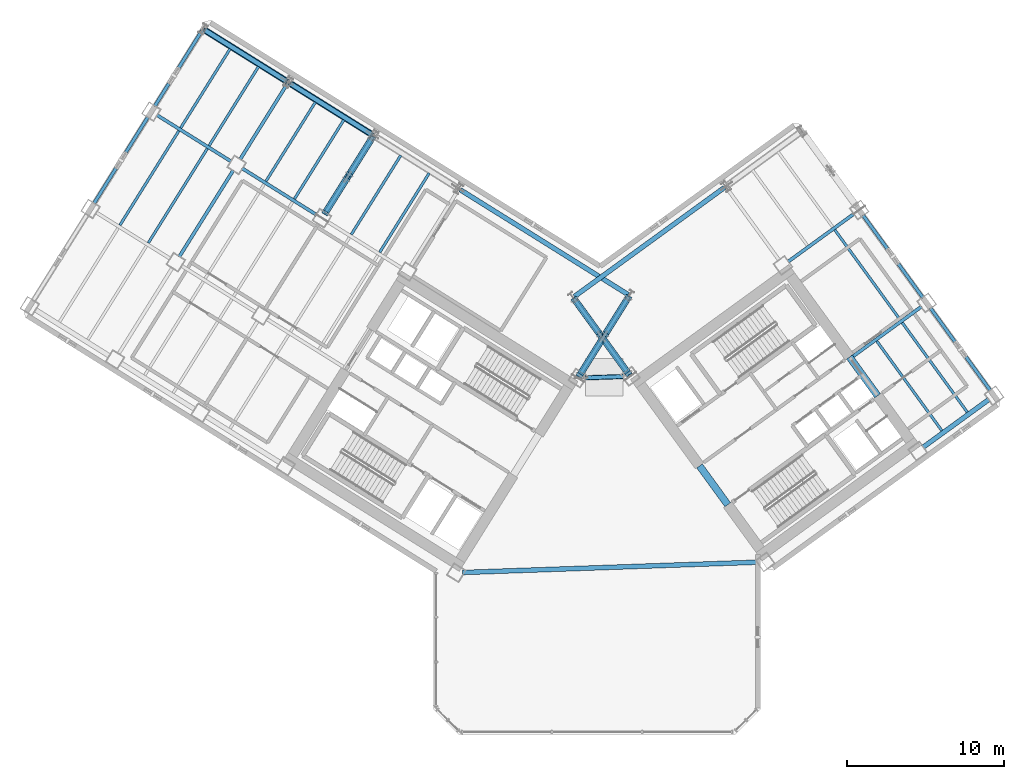
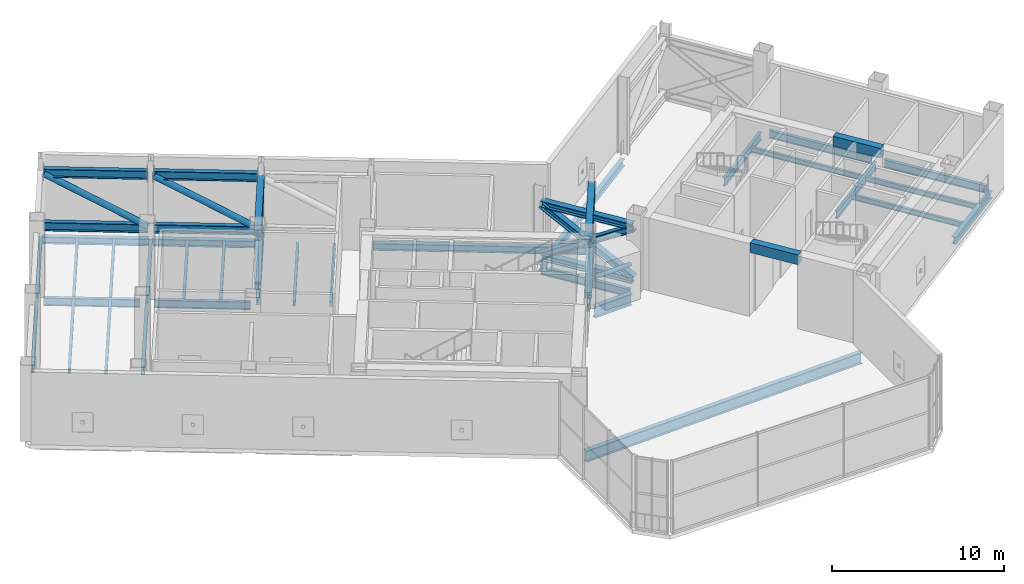
# One storey, part 7 of 21: 33 beams, 22 members.
"""IFC4 building model written with IfcOpenShell, lengths in metres."""

from ifc_helpers import new_model, si_unit, direction, frame, origin, origin_2d, place, context, subcontext, project, spatial, rectangle, hollow_circle, i_section, extrude, source, transform, mapped, material, material_profile, profile_set, type_object, element, save


model = new_model("IFC4")

# Units and contexts
model_context = context("Model", 3, precision=1e-05, world=origin(), true_north=direction((0.0, 1.0)))
body_context = subcontext(model_context, "Body", "Model", "MODEL_VIEW")
ifc_project = project(units=[si_unit("LENGTHUNIT", "METRE"), si_unit("AREAUNIT", "SQUARE_METRE"), si_unit("VOLUMEUNIT", "CUBIC_METRE"), si_unit("PLANEANGLEUNIT", "RADIAN"), si_unit("MASSUNIT", "GRAM", prefix="KILO")], contexts=[model_context])

# Site, building, storey
site_placement = place(None, origin())
site = spatial("IfcSite", under=ifc_project, at=site_placement, CompositionType="ELEMENT")
building_placement = place(site_placement, origin())
building = spatial("IfcBuilding", under=site, at=building_placement, Name="Tlacorven Tower", CompositionType="ELEMENT")
storey_placement = place(building_placement, frame((0.0, 0.0, 84.60009765625)))
storey = spatial("IfcBuildingStorey", under=building, at=storey_placement, Name="L21", CompositionType="ELEMENT", Elevation=84.60009765625)

# Beams
ifc_material_1 = material(Name="Concrete C60/75", Category="concrete")
ifc_material_profile_1 = material_profile(ifc_material_1, rectangle(XDim=0.449951171875, YDim=0.699951171875, at=origin_2d()), Name="RC 450X700")
ifc_profile_set_1 = profile_set([ifc_material_profile_1], Name="Concrete C60/75")
beam_type_1 = type_object("IfcBeamType", Name="BM-LNT-700", PredefinedType="LINTEL", material=ifc_profile_set_1)
shared_shape_1 = source(origin(), body_context, "Body", "SweptSolid", [
    extrude(rectangle(XDim=0.449951171875, YDim=0.699951171875, at=origin_2d()), origin(), (0.0, 0.0, 1.0), 3.050048828125),
])
for number, where, z_axis, x_axis, name in (
    (1, (50.318359375, 16.416015625, 4.7998046875), (-0.587776590479, 0.80902328748, 0.0), (-0.80902328748, -0.587776590479, 0.0), "L21 E core coupling lintel beam E1"),
    (2, (59.856689453125, 23.345947265625, 4.7998046875), (-0.587776590479, 0.80902328748, 0.0), (-0.80902328748, -0.587776590479, 0.0), "L21 E core coupling lintel beam E2"),
):
    element("IfcBeam", number, at=place(storey_placement, frame(where, z_axis=z_axis, x_axis=x_axis)), inside=storey, type_object=beam_type_1, Name=name, PredefinedType="LINTEL", context=body_context, shape_type="MappedRepresentation", body=[
        mapped(shared_shape_1, transform((0.0, 0.0, 0.0), scale=1.0)),
    ])
ifc_material_2 = material(Name="Steel S355J2", Category="steel")
ifc_material_profile_2 = material_profile(ifc_material_2, i_section(OverallWidth=0.300048828125, OverallDepth=0.489990234375, WebThickness=0.011962890625, FlangeThickness=0.02294921875, at=origin_2d()), Name="HEA 500")
ifc_profile_set_2 = profile_set([ifc_material_profile_2], Name="Steel S355J2")
beam_type_2 = type_object("IfcBeamType", Name="BM-SPN-500", PredefinedType="SPANDREL", material=ifc_profile_set_2)
shared_shape_2 = source(origin(), body_context, "Body", "SweptSolid", [
    extrude(i_section(OverallWidth=0.300048828125, OverallDepth=0.489990234375, WebThickness=0.011962890625, FlangeThickness=0.02294921875, at=origin_2d()), origin(), (0.0, 0.0, 1.0), 12.599853515625),
])
beam_1_placement = place(storey_placement, frame((43.983642578125, 29.779296875, -0.525146484375), z_axis=(-0.848045108756, 0.529924045043, 0.0), x_axis=(-0.529924045043, -0.848045108756, 0.0)))
element("IfcBeam", 3, at=beam_1_placement, inside=storey, type_object=beam_type_2, Name="L21 beam BM-L21-WL1-1", PredefinedType="SPANDREL", context=body_context, shape_type="MappedRepresentation", body=[
    mapped(shared_shape_2, transform((0.0, 0.0, 0.0), scale=1.0)),
])
shared_shape_3 = source(origin(), body_context, "Body", "SweptSolid", [
    extrude(i_section(OverallWidth=0.300048828125, OverallDepth=0.489990234375, WebThickness=0.011962890625, FlangeThickness=0.02294921875, at=origin_2d()), origin(), (0.0, 0.0, 1.0), 11.800048828125),
])
beam_2_placement = place(storey_placement, frame((40.560302734375, 29.65966796875, -0.525146484375), z_axis=(0.80900977213, 0.587795192732, 0.0), x_axis=(-0.587795192732, 0.80900977213, 0.0)))
element("IfcBeam", 4, at=beam_2_placement, inside=storey, type_object=beam_type_2, Name="L21 beam BM-L21-EL4-1", PredefinedType="SPANDREL", context=body_context, shape_type="MappedRepresentation", body=[
    mapped(shared_shape_3, transform((0.0, 0.0, 0.0), scale=1.0)),
])
shared_shape_4 = source(origin(), body_context, "Body", "SweptSolid", [
    extrude(i_section(OverallWidth=0.300048828125, OverallDepth=0.489990234375, WebThickness=0.011962890625, FlangeThickness=0.02294921875, at=origin_2d()), origin(), (0.0, 0.0, 1.0), 6.2001953125),
])
for number, where, z_axis, x_axis, name in (
    (5, (27.701171875, 39.95361328125, -0.525146484375), (-0.84804475579, 0.5299246099, 0.0), (-0.5299246099, -0.84804475579, 0.0), "L21 beam BM-L21-WL1-4"),
    (6, (22.273681640625, 43.34521484375, -0.525146484375), (-0.848062451332, 0.529896290457, 0.0), (-0.529896290457, -0.848062451332, 0.0), "L21 beam BM-L21-WL1-5"),
):
    element("IfcBeam", number, at=place(storey_placement, frame(where, z_axis=z_axis, x_axis=x_axis)), inside=storey, type_object=beam_type_2, Name=name, PredefinedType="SPANDREL", context=body_context, shape_type="MappedRepresentation", body=[
        mapped(shared_shape_4, transform((0.0, 0.0, 0.0), scale=1.0)),
    ])
ifc_material_profile_3 = material_profile(ifc_material_2, i_section(OverallWidth=0.2099609375, OverallDepth=0.550048828125, WebThickness=0.010986328125, FlangeThickness=0.01708984375, at=origin_2d()), Name="IPE 550")
ifc_profile_set_3 = profile_set([ifc_material_profile_3], Name="Steel S355J2")
beam_type_3 = type_object("IfcBeamType", Name="BM-TWR-550", PredefinedType="BEAM", material=ifc_profile_set_3)
shared_shape_5 = source(origin(), body_context, "Body", "SweptSolid", [
    extrude(i_section(OverallWidth=0.2099609375, OverallDepth=0.550048828125, WebThickness=0.010986328125, FlangeThickness=0.01708984375, at=origin_2d()), origin(), (0.0, 0.0, 1.0), 5.599853515625),
])
for number, where, z_axis, x_axis, name in (
    (7, (24.1611328125, 34.854736328125, -0.55517578125), (-0.848047285686, 0.529920561254, 0.0), (-0.529920561254, -0.848047285686, 0.0), "L21 beam BM-L21-WL2-4"),
    (8, (18.733642578125, 38.246337890625, -0.55517578125), (-0.848047285686, 0.529920561254, 0.0), (-0.529920561254, -0.848047285686, 0.0), "L21 beam BM-L21-WL2-5"),
):
    element("IfcBeam", number, at=place(storey_placement, frame(where, z_axis=z_axis, x_axis=x_axis)), inside=storey, type_object=beam_type_3, Name=name, PredefinedType="BEAM", context=body_context, shape_type="MappedRepresentation", body=[
        mapped(shared_shape_5, transform((0.0, 0.0, 0.0), scale=1.0)),
    ])
shared_shape_6 = source(origin(), body_context, "Body", "SweptSolid", [
    extrude(i_section(OverallWidth=0.2099609375, OverallDepth=0.550048828125, WebThickness=0.010986328125, FlangeThickness=0.01708984375, at=origin_2d()), origin(), (0.0, 0.0, 1.0), 5.7001953125),
])
for number, where, z_axis, x_axis, name in (
    (9, (44.015380859375, 29.6416015625, -0.55517578125), (-0.529906537151, -0.848056048787, 0.0), (0.848056048787, -0.529906537151, 0.0), "L21 beam BM-L21-WT1-1"),
    (10, (22.305419921875, 43.20751953125, -0.55517578125), (-0.529906537151, -0.848056048787, 0.0), (0.848056048787, -0.529906537151, 0.0), "L21 beam BM-L21-WT5-1"),
):
    element("IfcBeam", number, at=place(storey_placement, frame(where, z_axis=z_axis, x_axis=x_axis)), inside=storey, type_object=beam_type_3, Name=name, PredefinedType="BEAM", context=body_context, shape_type="MappedRepresentation", body=[
        mapped(shared_shape_6, transform((0.0, 0.0, 0.0), scale=1.0)),
    ])
shared_shape_7 = source(origin(), body_context, "Body", "SweptSolid", [
    extrude(i_section(OverallWidth=0.2099609375, OverallDepth=0.550048828125, WebThickness=0.010986328125, FlangeThickness=0.01708984375, at=origin_2d()), origin(), (0.0, 0.0, 1.0), 5.699951171875),
])
for number, where, z_axis, x_axis, name in (
    (11, (27.73291015625, 39.81591796875, -0.55517578125), (-0.529925785607, -0.848044021115, 0.0), (0.848044021115, -0.529925785607, 0.0), "L21 beam BM-L21-WT4-1"),
    (12, (16.8779296875, 46.598876953125, -0.55517578125), (-0.529925785607, -0.848044021115, 0.0), (0.848044021115, -0.529925785607, 0.0), "L21 beam BM-L21-WT6-1"),
    (13, (43.888671875, 24.90869140625, -0.55517578125), (-0.587787066966, 0.809015675935, 0.0), (-0.809015675935, -0.587787066966, 0.0), "L21 beam BM-L21-ET1-2"),
):
    element("IfcBeam", number, at=place(storey_placement, frame(where, z_axis=z_axis, x_axis=x_axis)), inside=storey, type_object=beam_type_3, Name=name, PredefinedType="BEAM", context=body_context, shape_type="MappedRepresentation", body=[
        mapped(shared_shape_7, transform((0.0, 0.0, 0.0), scale=1.0)),
    ])
shared_shape_8 = source(origin(), body_context, "Body", "SweptSolid", [
    extrude(i_section(OverallWidth=0.2099609375, OverallDepth=0.550048828125, WebThickness=0.010986328125, FlangeThickness=0.01708984375, at=origin_2d()), origin(), (0.0, 0.0, 1.0), 6.5),
])
for number, where, z_axis, x_axis, name in (
    (14, (13.433349609375, 41.086669921875, -0.55517578125), (-0.529894274829, -0.848063710757, 0.0), (0.848063710757, -0.529894274829, 0.0), "L21 beam BM-L21-WT6-2"),
    (15, (67.03271484375, 23.67724609375, -0.55517578125), (-0.587809847215, 0.808999124547, 0.0), (-0.808999124547, -0.587809847215, 0.0), "L21 beam BM-L21-ET4-1"),
    (16, (62.74169921875, 29.5830078125, -0.55517578125), (-0.587785264321, 0.809016985636, 0.0), (-0.809016985636, -0.587785264321, 0.0), "L21 beam BM-L21-ET4-2"),
):
    element("IfcBeam", number, at=place(storey_placement, frame(where, z_axis=z_axis, x_axis=x_axis)), inside=storey, type_object=beam_type_3, Name=name, PredefinedType="BEAM", context=body_context, shape_type="MappedRepresentation", body=[
        mapped(shared_shape_8, transform((0.0, 0.0, 0.0), scale=1.0)),
    ])
shared_shape_9 = source(origin(), body_context, "Body", "SweptSolid", [
    extrude(i_section(OverallWidth=0.2099609375, OverallDepth=0.550048828125, WebThickness=0.010986328125, FlangeThickness=0.01708984375, at=origin_2d()), origin(), (0.0, 0.0, 1.0), 6.499755859375),
])
beam_3_placement = place(storey_placement, frame((18.86083984375, 37.695068359375, -0.55517578125), z_axis=(-0.529911154058, -0.848053163902, 0.0), x_axis=(0.848053163902, -0.529911154058, 0.0)))
element("IfcBeam", 17, at=beam_3_placement, inside=storey, type_object=beam_type_3, Name="L21 beam BM-L21-WT5-2", PredefinedType="BEAM", context=body_context, shape_type="MappedRepresentation", body=[
    mapped(shared_shape_9, transform((0.0, 0.0, 0.0), scale=1.0)),
])
ifc_material_profile_4 = material_profile(ifc_material_2, i_section(OverallWidth=0.169921875, OverallDepth=0.360107421875, WebThickness=0.008056640625, FlangeThickness=0.0126953125, at=origin_2d()), Name="IPE 360")
ifc_profile_set_4 = profile_set([ifc_material_profile_4], Name="Steel S355J2")
beam_type_4 = type_object("IfcBeamType", Name="BM-JST-360", PredefinedType="JOIST", material=ifc_profile_set_4)
shared_shape_10 = source(origin(), body_context, "Body", "SweptSolid", [
    extrude(i_section(OverallWidth=0.169921875, OverallDepth=0.360107421875, WebThickness=0.008056640625, FlangeThickness=0.0126953125, at=origin_2d()), origin(), (0.0, 0.0, 1.0), 5.93505859375),
])
for number, where, z_axis, x_axis, name in (
    (18, (31.322265625, 37.50830078125, -0.460205078125), (-0.529939778535, -0.848035277053, 0.0), (0.848035277053, -0.529939778535, 0.0), "L21 beam BM-L21-WJ3-1-1"),
    (19, (29.512939453125, 38.638916015625, -0.460205078125), (-0.529910194899, -0.848053763238, 0.0), (0.848053763238, -0.529910194899, 0.0), "L21 beam BM-L21-WJ3-1-2"),
    (20, (24.08544921875, 42.0302734375, -0.460205078125), (-0.529910194899, -0.848053763238, 0.0), (0.848053763238, -0.529910194899, 0.0), "L21 beam BM-L21-WJ4-1-2"),
    (21, (20.467041015625, 44.291259765625, -0.460205078125), (-0.529910194899, -0.848053763238, 0.0), (0.848053763238, -0.529910194899, 0.0), "L21 beam BM-L21-WJ5-1-1"),
    (22, (18.657958984375, 45.421875, -0.460205078125), (-0.529910194899, -0.848053763238, 0.0), (0.848053763238, -0.529910194899, 0.0), "L21 beam BM-L21-WJ5-1-2"),
):
    element("IfcBeam", number, at=place(storey_placement, frame(where, z_axis=z_axis, x_axis=x_axis)), inside=storey, type_object=beam_type_4, Name=name, PredefinedType="JOIST", context=body_context, shape_type="MappedRepresentation", body=[
        mapped(shared_shape_10, transform((0.0, 0.0, 0.0), scale=1.0)),
    ])
shared_shape_11 = source(origin(), body_context, "Body", "SweptSolid", [
    extrude(i_section(OverallWidth=0.169921875, OverallDepth=0.360107421875, WebThickness=0.008056640625, FlangeThickness=0.0126953125, at=origin_2d()), origin(), (0.0, 0.0, 1.0), 7.080078125),
])
for number, where, z_axis, x_axis, name in (
    (23, (17.20556640625, 39.071533203125, -0.460205078125), (-0.529933847046, -0.848038983629, 0.0), (0.848038983629, -0.529933847046, 0.0), "L21 beam BM-L21-WJ5-2-1"),
    (24, (15.396240234375, 40.2021484375, -0.460205078125), (-0.529893550998, -0.848064163027, 0.0), (0.848064163027, -0.529893550998, 0.0), "L21 beam BM-L21-WJ5-2-2"),
    (25, (61.294189453125, 28.1728515625, -0.460205078125), (-0.587798472288, 0.809007389321, 0.0), (-0.809007389321, -0.587798472288, 0.0), "L21 beam BM-L21-EJ3-2-2"),
):
    element("IfcBeam", number, at=place(storey_placement, frame(where, z_axis=z_axis, x_axis=x_axis)), inside=storey, type_object=beam_type_4, Name=name, PredefinedType="JOIST", context=body_context, shape_type="MappedRepresentation", body=[
        mapped(shared_shape_11, transform((0.0, 0.0, 0.0), scale=1.0)),
    ])
shared_shape_12 = source(origin(), body_context, "Body", "SweptSolid", [
    extrude(i_section(OverallWidth=0.169921875, OverallDepth=0.360107421875, WebThickness=0.008056640625, FlangeThickness=0.0126953125, at=origin_2d()), origin(), (0.0, 0.0, 1.0), 7.03515625),
])
beam_4_placement = place(storey_placement, frame((63.9404296875, 21.127685546875, -0.460205078125), z_axis=(-0.58776512903, 0.809031614399, 0.0), x_axis=(-0.809031614399, -0.58776512903, 0.0)))
element("IfcBeam", 26, at=beam_4_placement, inside=storey, type_object=beam_type_4, Name="L21 beam BM-L21-EJ3-1-1", PredefinedType="JOIST", context=body_context, shape_type="MappedRepresentation", body=[
    mapped(shared_shape_12, transform((0.0, 0.0, 0.0), scale=1.0)),
])
shared_shape_13 = source(origin(), body_context, "Body", "SweptSolid", [
    extrude(i_section(OverallWidth=0.169921875, OverallDepth=0.360107421875, WebThickness=0.008056640625, FlangeThickness=0.0126953125, at=origin_2d()), origin(), (0.0, 0.0, 1.0), 5.934814453125),
])
beam_5_placement = place(storey_placement, frame((25.894775390625, 40.899658203125, -0.460205078125), z_axis=(-0.529958265352, -0.848023724306, 0.0), x_axis=(0.848023724306, -0.529958265352, 0.0)))
element("IfcBeam", 27, at=beam_5_placement, inside=storey, type_object=beam_type_4, Name="L21 beam BM-L21-WJ4-1-1", PredefinedType="JOIST", context=body_context, shape_type="MappedRepresentation", body=[
    mapped(shared_shape_13, transform((0.0, 0.0, 0.0), scale=1.0)),
])
shared_shape_14 = source(origin(), body_context, "Body", "SweptSolid", [
    extrude(i_section(OverallWidth=0.300048828125, OverallDepth=0.489990234375, WebThickness=0.011962890625, FlangeThickness=0.02294921875, at=origin_2d()), origin(), (0.0, 0.0, 1.0), 5.199951171875),
])
beam_6_placement = place(storey_placement, frame((62.7373046875, 20.06201171875, -0.525146484375), z_axis=(0.809018206713, 0.587783583648, 0.0), x_axis=(-0.587783583648, 0.809018206713, 0.0)))
element("IfcBeam", 28, at=beam_6_placement, inside=storey, type_object=beam_type_2, Name="L21 beam BM-L21-EL1-3", PredefinedType="SPANDREL", context=body_context, shape_type="MappedRepresentation", body=[
    mapped(shared_shape_14, transform((0.0, 0.0, 0.0), scale=1.0)),
])
shared_shape_15 = source(origin(), body_context, "Body", "SweptSolid", [
    extrude(i_section(OverallWidth=0.2099609375, OverallDepth=0.550048828125, WebThickness=0.010986328125, FlangeThickness=0.01708984375, at=origin_2d()), origin(), (0.0, 0.0, 1.0), 5.56005859375),
])
beam_7_placement = place(storey_placement, frame((58.155029296875, 25.756103515625, -0.55517578125), z_axis=(0.809028396397, 0.587769558435, 0.0), x_axis=(-0.587769558435, 0.809028396397, 0.0)))
element("IfcBeam", 29, at=beam_7_placement, inside=storey, type_object=beam_type_3, Name="L21 beam BM-L21-EL2-3", PredefinedType="BEAM", context=body_context, shape_type="MappedRepresentation", body=[
    mapped(shared_shape_15, transform((0.0, 0.0, 0.0), scale=1.0)),
])
shared_shape_16 = source(origin(), body_context, "Body", "SweptSolid", [
    extrude(i_section(OverallWidth=0.2099609375, OverallDepth=0.550048828125, WebThickness=0.010986328125, FlangeThickness=0.01708984375, at=origin_2d()), origin(), (0.0, 0.0, 1.0), 5.2001953125),
])
beam_8_placement = place(storey_placement, frame((54.155517578125, 31.87353515625, -0.55517578125), z_axis=(0.80901210161, 0.587791986546, 0.0), x_axis=(-0.587791986546, 0.80901210161, 0.0)))
element("IfcBeam", 30, at=beam_8_placement, inside=storey, type_object=beam_type_3, Name="L21 beam BM-L21-EL3-3", PredefinedType="BEAM", context=body_context, shape_type="MappedRepresentation", body=[
    mapped(shared_shape_16, transform((0.0, 0.0, 0.0), scale=1.0)),
])
shared_shape_17 = source(origin(), body_context, "Body", "SweptSolid", [
    extrude(i_section(OverallWidth=0.169921875, OverallDepth=0.360107421875, WebThickness=0.008056640625, FlangeThickness=0.0126953125, at=origin_2d()), origin(), (0.0, 0.0, 1.0), 7.034912109375),
])
beam_9_placement = place(storey_placement, frame((65.55859375, 22.303466796875, -0.460205078125), z_axis=(-0.587781631373, 0.809019625115, 0.0), x_axis=(-0.809019625115, -0.587781631373, 0.0)))
element("IfcBeam", 31, at=beam_9_placement, inside=storey, type_object=beam_type_4, Name="L21 beam BM-L21-EJ3-1-2", PredefinedType="JOIST", context=body_context, shape_type="MappedRepresentation", body=[
    mapped(shared_shape_17, transform((0.0, 0.0, 0.0), scale=1.0)),
])
ifc_material_profile_5 = material_profile(ifc_material_2, i_section(OverallWidth=0.300048828125, OverallDepth=0.800048828125, WebThickness=0.017578125, FlangeThickness=0.032958984375, at=origin_2d()), Name="HEB 800")
ifc_profile_set_5 = profile_set([ifc_material_profile_5], Name="Steel S355J2")
beam_type_5 = type_object("IfcBeamType", Name="BM-POD-800", PredefinedType="BEAM", material=ifc_profile_set_5)
shared_shape_18 = source(origin(), body_context, "Body", "SweptSolid", [
    extrude(i_section(OverallWidth=0.300048828125, OverallDepth=0.800048828125, WebThickness=0.017578125, FlangeThickness=0.032958984375, at=origin_2d()), origin(), (0.0, 0.0, 1.0), 2.542724609375),
])
beam_10_placement = place(storey_placement, frame((41.1826171875, 24.482421875, -0.68017578125), z_axis=(0.999392467766, 0.034852480142, 0.0), x_axis=(-0.034852480142, 0.999392467766, 0.0)))
element("IfcBeam", 32, at=beam_10_placement, inside=storey, type_object=beam_type_5, Name="L21 Knuckle Link Girder 1", PredefinedType="BEAM", context=body_context, shape_type="MappedRepresentation", body=[
    mapped(shared_shape_18, transform((0.0, 0.0, 0.0), scale=1.0)),
])
shared_shape_19 = source(origin(), body_context, "Body", "SweptSolid", [
    extrude(i_section(OverallWidth=0.300048828125, OverallDepth=0.800048828125, WebThickness=0.017578125, FlangeThickness=0.032958984375, at=origin_2d()), origin(), (0.0, 0.0, 1.0), 18.871337890625),
])
beam_11_placement = place(storey_placement, frame((33.44580078125, 12.100830078125, -0.68017578125), z_axis=(0.999390659804, 0.034904284792, 0.0), x_axis=(-0.034904284792, 0.999390659804, 0.0)))
element("IfcBeam", 33, at=beam_11_placement, inside=storey, type_object=beam_type_5, Name="L21 Knuckle Link Girder 2", PredefinedType="BEAM", context=body_context, shape_type="MappedRepresentation", body=[
    mapped(shared_shape_19, transform((0.0, 0.0, 0.0), scale=1.0)),
])

# Members
ifc_material_3 = material(Name="Steel S460M", Category="steel")
ifc_material_profile_6 = material_profile(ifc_material_3, i_section(OverallWidth=0.412109375, OverallDepth=0.43505859375, WebThickness=0.02490234375, FlangeThickness=0.0400390625, at=origin_2d()), Name="HD 400X463")
ifc_profile_set_6 = profile_set([ifc_material_profile_6], Name="Steel S460M")
member_type_1 = type_object("IfcMemberType", Name="MB-OUT-CHD", PredefinedType="CHORD", material=ifc_profile_set_6)
shared_shape_20 = source(origin(), body_context, "Body", "SweptSolid", [
    extrude(i_section(OverallWidth=0.412109375, OverallDepth=0.43505859375, WebThickness=0.02490234375, FlangeThickness=0.0400390625, at=origin_2d()), origin(), (0.0, 0.0, 1.0), 5.795166015625),
])
for number, where, z_axis, x_axis, name in (
    (34, (40.91015625, 24.671875, 0.449951171875), (0.529900477288, 0.848059835253, 0.0), (-0.848059835253, 0.529900477288, 0.0), "L21 Outrigger Truss Chord W1-B"),
    (35, (40.91015625, 24.671875, 4.22998046875), (0.529900477288, 0.848059835253, 0.0), (-0.848059835253, 0.529900477288, 0.0), "L21 Outrigger Truss Chord W1-T"),
):
    element("IfcMember", number, at=place(storey_placement, frame(where, z_axis=z_axis, x_axis=x_axis)), inside=storey, type_object=member_type_1, Name=name, PredefinedType="CHORD", context=body_context, shape_type="MappedRepresentation", body=[
        mapped(shared_shape_20, transform((0.0, 0.0, 0.0), scale=1.0)),
    ])
ifc_material_profile_7 = material_profile(ifc_material_3, i_section(OverallWidth=0.406005859375, OverallDepth=0.416015625, WebThickness=0.02099609375, FlangeThickness=0.032958984375, at=origin_2d()), Name="HD 400X382")
ifc_profile_set_7 = profile_set([ifc_material_profile_7], Name="Steel S460M")
member_type_2 = type_object("IfcMemberType", Name="MB-OUT-DIA", PredefinedType="BRACE", material=ifc_profile_set_7)
shared_shape_21 = source(origin(), body_context, "Body", "SweptSolid", [
    extrude(i_section(OverallWidth=0.406005859375, OverallDepth=0.416015625, WebThickness=0.02099609375, FlangeThickness=0.032958984375, at=origin_2d()), origin(), (0.0, 0.0, 1.0), 6.8564453125),
])
member_1_placement = place(storey_placement, frame((40.8916015625, 24.64208984375, 0.574951171875), z_axis=(0.452456908715, 0.724101967076, 0.520537306092), x_axis=(-0.848054526825, 0.529908972874, 0.0)))
element("IfcMember", 36, at=member_1_placement, inside=storey, type_object=member_type_2, Name="L21 Outrigger Truss Diagonal W1-1", PredefinedType="BRACE", context=body_context, shape_type="MappedRepresentation", body=[
    mapped(shared_shape_21, transform((0.0, 0.0, 0.0), scale=1.0)),
])
shared_shape_22 = source(origin(), body_context, "Body", "SweptSolid", [
    extrude(i_section(OverallWidth=0.406005859375, OverallDepth=0.416015625, WebThickness=0.02099609375, FlangeThickness=0.032958984375, at=origin_2d()), origin(), (0.0, 0.0, 1.0), 3.170654296875),
])
member_2_placement = place(storey_placement, frame((40.8916015625, 24.64208984375, 4.10498046875), z_axis=(0.452436969303, 0.724083944746, -0.52057970549), x_axis=(-0.848059094389, 0.529901662976, 0.0)))
element("IfcMember", 37, at=member_2_placement, inside=storey, type_object=member_type_2, Name="L21 Outrigger Truss Split Diagonal W1-2A", PredefinedType="BRACE", context=body_context, shape_type="MappedRepresentation", body=[
    mapped(shared_shape_22, transform((0.0, 0.0, 0.0), scale=1.0)),
])
shared_shape_23 = source(origin(), body_context, "Body", "SweptSolid", [
    extrude(i_section(OverallWidth=0.406005859375, OverallDepth=0.416015625, WebThickness=0.02099609375, FlangeThickness=0.032958984375, at=origin_2d()), origin(), (0.0, 0.0, 1.0), 3.245849609375),
])
for number, where, z_axis, x_axis, name in (
    (38, (42.525146484375, 27.256591796875, 2.225341796875), (0.4524999674, 0.724105250359, -0.520495308246), (-0.848032943941, 0.529943512075, 0.0), "L21 Outrigger Truss Split Diagonal W1-2B"),
    (39, (42.191162109375, 27.244873046875, 2.225341796875), (-0.501855837429, 0.690803958476, -0.520509951291), (-0.809040727879, -0.587752584539, 0.0), "L21 Outrigger Truss Split Diagonal E1-2B"),
):
    element("IfcMember", number, at=place(storey_placement, frame(where, z_axis=z_axis, x_axis=x_axis)), inside=storey, type_object=member_type_2, Name=name, PredefinedType="BRACE", context=body_context, shape_type="MappedRepresentation", body=[
        mapped(shared_shape_23, transform((0.0, 0.0, 0.0), scale=1.0)),
    ])
shared_shape_24 = source(origin(), body_context, "Body", "SweptSolid", [
    extrude(i_section(OverallWidth=0.412109375, OverallDepth=0.43505859375, WebThickness=0.02490234375, FlangeThickness=0.0400390625, at=origin_2d()), origin(), (0.0, 0.0, 1.0), 5.570068359375),
])
for number, where, z_axis, x_axis, name in (
    (40, (24.746826171875, 35.037109375, 0.449951171875), (0.529920139914, 0.84804754897, 0.0), (-0.84804754897, 0.529920139914, 0.0), "L21 Outrigger Truss Chord W2-B"),
    (41, (24.746826171875, 35.037109375, 4.22998046875), (0.529920139914, 0.84804754897, 0.0), (-0.84804754897, 0.529920139914, 0.0), "L21 Outrigger Truss Chord W2-T"),
):
    element("IfcMember", number, at=place(storey_placement, frame(where, z_axis=z_axis, x_axis=x_axis)), inside=storey, type_object=member_type_1, Name=name, PredefinedType="CHORD", context=body_context, shape_type="MappedRepresentation", body=[
        mapped(shared_shape_24, transform((0.0, 0.0, 0.0), scale=1.0)),
    ])
shared_shape_25 = source(origin(), body_context, "Body", "SweptSolid", [
    extrude(i_section(OverallWidth=0.406005859375, OverallDepth=0.416015625, WebThickness=0.02099609375, FlangeThickness=0.032958984375, at=origin_2d()), origin(), (0.0, 0.0, 1.0), 6.63134765625),
])
member_3_placement = place(storey_placement, frame((24.7109375, 34.9794921875, 0.69189453125), z_axis=(0.452428916661, 0.724092434932, 0.52057489475), x_axis=(-0.848066124832, 0.529890411229, 0.0)))
element("IfcMember", 42, at=member_3_placement, inside=storey, type_object=member_type_2, Name="L21 Outrigger Truss Diagonal W2-1", PredefinedType="BRACE", context=body_context, shape_type="MappedRepresentation", body=[
    mapped(shared_shape_25, transform((0.0, 0.0, 0.0), scale=1.0)),
])
shared_shape_26 = source(origin(), body_context, "Body", "SweptSolid", [
    extrude(i_section(OverallWidth=0.406005859375, OverallDepth=0.416015625, WebThickness=0.02099609375, FlangeThickness=0.032958984375, at=origin_2d()), origin(), (0.0, 0.0, 1.0), 2.94580078125),
])
member_4_placement = place(storey_placement, frame((24.7109375, 34.9794921875, 3.98779296875), z_axis=(0.452430711586, 0.724104621199, -0.520556383856), x_axis=(-0.848069187615, 0.52988550935, 0.0)))
element("IfcMember", 43, at=member_4_placement, inside=storey, type_object=member_type_2, Name="L21 Outrigger Truss Split Diagonal W2-2A", PredefinedType="BRACE", context=body_context, shape_type="MappedRepresentation", body=[
    mapped(shared_shape_26, transform((0.0, 0.0, 0.0), scale=1.0)),
])
shared_shape_27 = source(origin(), body_context, "Body", "SweptSolid", [
    extrude(i_section(OverallWidth=0.406005859375, OverallDepth=0.416015625, WebThickness=0.02099609375, FlangeThickness=0.032958984375, at=origin_2d()), origin(), (0.0, 0.0, 1.0), 3.24560546875),
])
member_5_placement = place(storey_placement, frame((26.24267578125, 37.43115234375, 2.225341796875), z_axis=(0.452464793497, 0.72409411508, -0.520541375063), x_axis=(-0.848047794526, 0.529919746943, 0.0)))
element("IfcMember", 44, at=member_5_placement, inside=storey, type_object=member_type_2, Name="L21 Outrigger Truss Split Diagonal W2-2B", PredefinedType="BRACE", context=body_context, shape_type="MappedRepresentation", body=[
    mapped(shared_shape_27, transform((0.0, 0.0, 0.0), scale=1.0)),
])
ifc_material_profile_8 = material_profile(ifc_material_3, i_section(OverallWidth=0.300048828125, OverallDepth=0.60009765625, WebThickness=0.015380859375, FlangeThickness=0.030029296875, at=origin_2d()), Name="HEB 600")
ifc_profile_set_8 = profile_set([ifc_material_profile_8], Name="Steel S460M")
member_type_3 = type_object("IfcMemberType", Name="MB-BLT-CHD", PredefinedType="CHORD", material=ifc_profile_set_8)
shared_shape_28 = source(origin(), body_context, "Body", "SweptSolid", [
    extrude(i_section(OverallWidth=0.300048828125, OverallDepth=0.60009765625, WebThickness=0.015380859375, FlangeThickness=0.030029296875, at=origin_2d()), origin(), (0.0, 0.0, 1.0), 6.070068359375),
])
for number, where, z_axis, x_axis, name in (
    (45, (27.64599609375, 39.98828125, 0.449951171875), (-0.848054789024, 0.529908553255, 0.0), (-0.529908553255, -0.848054789024, 0.0), "L21 Belt Truss Chord W2-B"),
    (46, (27.64599609375, 39.98828125, 4.22998046875), (-0.848054789024, 0.529908553255, 0.0), (-0.529908553255, -0.848054789024, 0.0), "L21 Belt Truss Chord W2-T"),
    (47, (22.218505859375, 43.379638671875, 0.449951171875), (-0.848054789024, 0.529908553255, 0.0), (-0.529908553255, -0.848054789024, 0.0), "L21 Belt Truss Chord W3-B"),
    (48, (22.218505859375, 43.379638671875, 4.22998046875), (-0.848054789024, 0.529908553255, 0.0), (-0.529908553255, -0.848054789024, 0.0), "L21 Belt Truss Chord W3-T"),
):
    element("IfcMember", number, at=place(storey_placement, frame(where, z_axis=z_axis, x_axis=x_axis)), inside=storey, type_object=member_type_3, Name=name, PredefinedType="CHORD", context=body_context, shape_type="MappedRepresentation", body=[
        mapped(shared_shape_28, transform((0.0, 0.0, 0.0), scale=1.0)),
    ])
ifc_material_profile_9 = material_profile(ifc_material_3, hollow_circle(Radius=0.203125, WallThickness=0.02001953125, at=origin_2d()), Name="CHS 406.4X20")
ifc_profile_set_9 = profile_set([ifc_material_profile_9], Name="Steel S460M")
member_type_4 = type_object("IfcMemberType", Name="MB-BLT-DIA", PredefinedType="BRACE", material=ifc_profile_set_9)
shared_shape_29 = source(origin(), body_context, "Body", "SweptSolid", [
    extrude(hollow_circle(Radius=0.203125, WallThickness=0.02001953125, at=origin_2d()), origin(), (0.0, 0.0, 1.0), 7.06298828125),
])
for number, where, z_axis, x_axis, name in (
    (49, (27.65087890625, 39.985107421875, 0.5439453125), (-0.730209253241, 0.456272764155, 0.508536735322), (-0.529908724419, -0.848054682072, 0.0), "L21 Belt Truss Diagonal W2-1"),
    (50, (22.223388671875, 43.376708984375, 0.5439453125), (-0.730209253241, 0.456272764155, 0.508536735322), (-0.529908724419, -0.848054682072, 0.0), "L21 Belt Truss Diagonal W3-1"),
):
    element("IfcMember", number, at=place(storey_placement, frame(where, z_axis=z_axis, x_axis=x_axis)), inside=storey, type_object=member_type_4, Name=name, PredefinedType="BRACE", context=body_context, shape_type="MappedRepresentation", body=[
        mapped(shared_shape_29, transform((0.0, 0.0, 0.0), scale=1.0)),
    ])
shared_shape_30 = source(origin(), body_context, "Body", "SweptSolid", [
    extrude(i_section(OverallWidth=0.412109375, OverallDepth=0.43505859375, WebThickness=0.02490234375, FlangeThickness=0.0400390625, at=origin_2d()), origin(), (0.0, 0.0, 1.0), 5.794921875),
])
for number, where, z_axis, x_axis, name in (
    (51, (43.982666015625, 24.779296875, 0.449951171875), (-0.587790872841, 0.809012910778, 0.0), (-0.809012910778, -0.587790872841, 0.0), "L21 Outrigger Truss Chord E1-B"),
    (52, (43.982666015625, 24.779296875, 4.22998046875), (-0.587790872841, 0.809012910778, 0.0), (-0.809012910778, -0.587790872841, 0.0), "L21 Outrigger Truss Chord E1-T"),
):
    element("IfcMember", number, at=place(storey_placement, frame(where, z_axis=z_axis, x_axis=x_axis)), inside=storey, type_object=member_type_1, Name=name, PredefinedType="CHORD", context=body_context, shape_type="MappedRepresentation", body=[
        mapped(shared_shape_30, transform((0.0, 0.0, 0.0), scale=1.0)),
    ])
shared_shape_31 = source(origin(), body_context, "Body", "SweptSolid", [
    extrude(i_section(OverallWidth=0.406005859375, OverallDepth=0.416015625, WebThickness=0.02099609375, FlangeThickness=0.032958984375, at=origin_2d()), origin(), (0.0, 0.0, 1.0), 6.856689453125),
])
member_6_placement = place(storey_placement, frame((44.00341796875, 24.750732421875, 0.574951171875), z_axis=(-0.501876654941, 0.690770280657, 0.520534573862), x_axis=(-0.809015507951, -0.587787298174, 0.0)))
element("IfcMember", 53, at=member_6_placement, inside=storey, type_object=member_type_2, Name="L21 Outrigger Truss Diagonal E1-1", PredefinedType="BRACE", context=body_context, shape_type="MappedRepresentation", body=[
    mapped(shared_shape_31, transform((0.0, 0.0, 0.0), scale=1.0)),
])
shared_shape_32 = source(origin(), body_context, "Body", "SweptSolid", [
    extrude(i_section(OverallWidth=0.406005859375, OverallDepth=0.416015625, WebThickness=0.02099609375, FlangeThickness=0.032958984375, at=origin_2d()), origin(), (0.0, 0.0, 1.0), 3.1708984375),
])
member_7_placement = place(storey_placement, frame((44.00341796875, 24.750732421875, 4.10498046875), z_axis=(-0.501841783228, 0.690783135796, -0.520551134766), x_axis=(-0.809040130261, -0.58775340716, 0.0)))
element("IfcMember", 54, at=member_7_placement, inside=storey, type_object=member_type_2, Name="L21 Outrigger Truss Split Diagonal E1-2A", PredefinedType="BRACE", context=body_context, shape_type="MappedRepresentation", body=[
    mapped(shared_shape_32, transform((0.0, 0.0, 0.0), scale=1.0)),
])
ifc_material_profile_10 = material_profile(ifc_material_2, hollow_circle(Radius=0.136474609375, WallThickness=0.012451171875, at=origin_2d()), Name="CHS 273.0X12.5")
ifc_profile_set_10 = profile_set([ifc_material_profile_10], Name="Steel S355J2")
member_type_5 = type_object("IfcMemberType", Name="MB-TRB-STR", PredefinedType="STRUT", material=ifc_profile_set_10)
shared_shape_33 = source(origin(), body_context, "Body", "SweptSolid", [
    extrude(hollow_circle(Radius=0.136474609375, WallThickness=0.012451171875, at=origin_2d()), origin(), (0.0, 0.0, 1.0), 2.48291015625),
])
member_8_placement = place(storey_placement, frame((41.212646484375, 24.4833984375, 1.75), z_axis=(0.999390603059, 0.034905909493, 0.0), x_axis=(-0.034905909493, 0.999390603059, 0.0)))
element("IfcMember", 55, at=member_8_placement, inside=storey, type_object=member_type_5, Name="L21 Venturi Wind-Turbine Slot Ring Strut", PredefinedType="STRUT", context=body_context, shape_type="MappedRepresentation", body=[
    mapped(shared_shape_33, transform((0.0, 0.0, 0.0), scale=1.0)),
])

save(model, "model.ifc")
